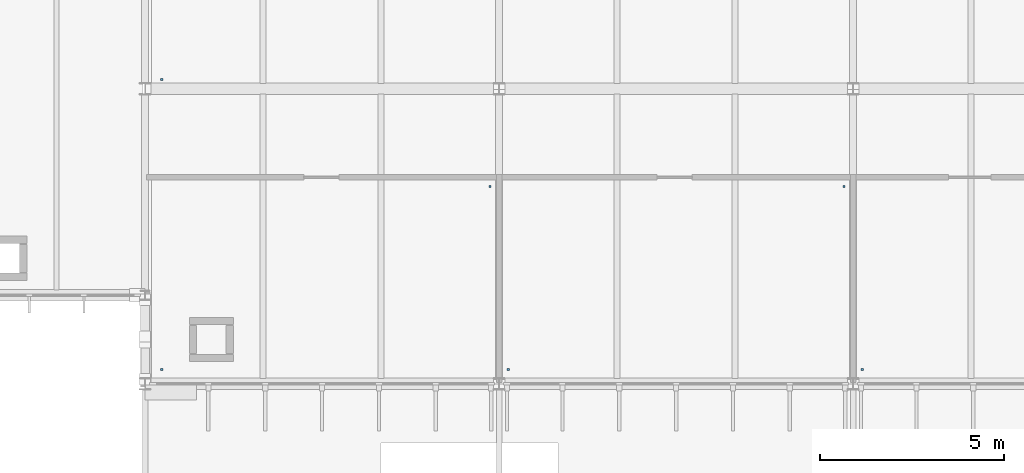
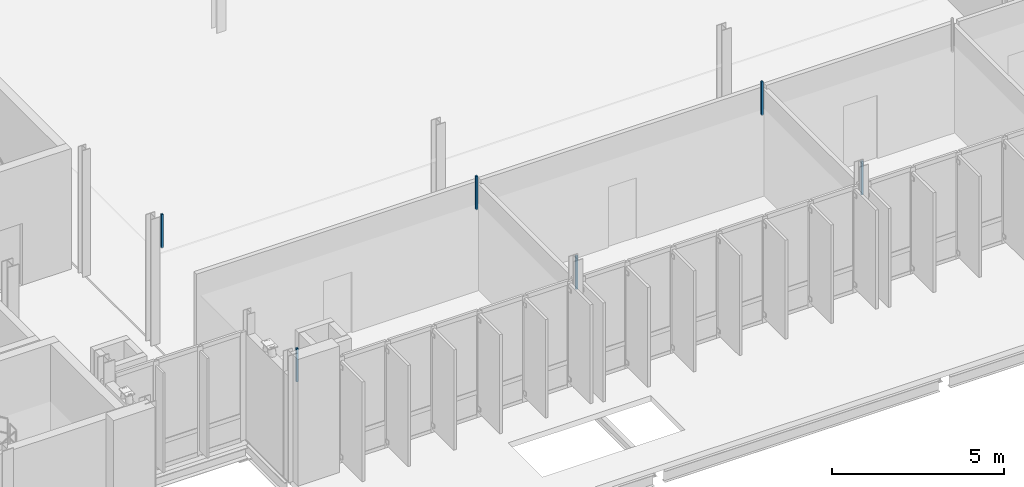
# One storey, part 72 of 107: 6 discrete accessories.
"""IFC4 building model written with IfcOpenShell, lengths in metres."""

from ifc_helpers import new_model, si_unit, direction, frame, origin, place, context, subcontext, project, spatial, polyline, outline, extrude, material, type_object, element, save


model = new_model("IFC4")

# Units and contexts
model_context = context("Model", 3, precision=1e-05, world=origin(), true_north=direction((0.0, 1.0)))
body_context = subcontext(model_context, "Body", "Model", "MODEL_VIEW")
ifc_project = project(units=[si_unit("LENGTHUNIT", "METRE"), si_unit("AREAUNIT", "SQUARE_METRE"), si_unit("VOLUMEUNIT", "CUBIC_METRE"), si_unit("PLANEANGLEUNIT", "RADIAN"), si_unit("MASSUNIT", "GRAM", prefix="KILO")], contexts=[model_context])

# Site, building, storey
site_placement = place(None, origin())
site = spatial("IfcSite", under=ifc_project, at=site_placement, CompositionType="ELEMENT")
building_placement = place(site_placement, origin())
building = spatial("IfcBuilding", under=site, at=building_placement, Name="Dunescarp Central Library", CompositionType="ELEMENT")
storey_placement = place(building_placement, frame((0.0, 0.0, 5.10009765625)))
storey = spatial("IfcBuildingStorey", under=building, at=storey_placement, Name="L01", CompositionType="ELEMENT", Elevation=5.10009765625)

# Discrete accessories
ifc_material = material(Name="Stainless steel Grade 316L", Category="steel")
discrete_accessory_type = type_object("IfcDiscreteAccessoryType", Name="ARC-ACC-BRK", PredefinedType="BRACKET", material=ifc_material)
discrete_accessory_1_placement = place(storey_placement, frame((0.0, 0.0, 3.059814453125)))
element("IfcDiscreteAccessory", 1, at=discrete_accessory_1_placement, inside=storey, type_object=discrete_accessory_type, Name="L01 ceiling hanger CLG-L01-053-H1", PredefinedType="BRACKET", context=body_context, shape_type="SweptSolid", body=[
    extrude(outline(polyline([(38.820068359375, 5.159912109375), (38.8798828125, 5.159912109375), (38.8798828125, 5.219970703125), (38.820068359375, 5.219970703125), (38.820068359375, 5.159912109375)])), origin(), (0.0, 0.0, 1.0), 1.190185546875),
])
discrete_accessory_2_placement = place(storey_placement, frame((0.0, 0.0, 3.059814453125)))
element("IfcDiscreteAccessory", 2, at=discrete_accessory_2_placement, inside=storey, type_object=discrete_accessory_type, Name="L01 ceiling hanger CLG-L01-053-H2", PredefinedType="BRACKET", context=body_context, shape_type="SweptSolid", body=[
    extrude(outline(polyline([(47.719970703125, 10.1201171875), (47.780029296875, 10.1201171875), (47.780029296875, 10.179931640625), (47.719970703125, 10.179931640625), (47.719970703125, 10.1201171875)])), origin(), (0.0, 0.0, 1.0), 1.190185546875),
])
discrete_accessory_3_placement = place(storey_placement, frame((0.0, 0.0, 3.059814453125)))
element("IfcDiscreteAccessory", 3, at=discrete_accessory_3_placement, inside=storey, type_object=discrete_accessory_type, Name="L01 ceiling hanger CLG-L01-054-H1", PredefinedType="BRACKET", context=body_context, shape_type="SweptSolid", body=[
    extrude(outline(polyline([(48.219970703125, 5.159912109375), (48.280029296875, 5.159912109375), (48.280029296875, 5.219970703125), (48.219970703125, 5.219970703125), (48.219970703125, 5.159912109375)])), origin(), (0.0, 0.0, 1.0), 1.190185546875),
])
discrete_accessory_4_placement = place(storey_placement, frame((0.0, 0.0, 3.059814453125)))
element("IfcDiscreteAccessory", 4, at=discrete_accessory_4_placement, inside=storey, type_object=discrete_accessory_type, Name="L01 ceiling hanger CLG-L01-054-H2", PredefinedType="BRACKET", context=body_context, shape_type="SweptSolid", body=[
    extrude(outline(polyline([(57.320068359375, 10.1201171875), (57.3798828125, 10.1201171875), (57.3798828125, 10.179931640625), (57.320068359375, 10.179931640625), (57.320068359375, 10.1201171875)])), origin(), (0.0, 0.0, 1.0), 1.190185546875),
])
discrete_accessory_5_placement = place(storey_placement, frame((0.0, 0.0, 3.059814453125)))
element("IfcDiscreteAccessory", 5, at=discrete_accessory_5_placement, inside=storey, type_object=discrete_accessory_type, Name="L01 ceiling hanger CLG-L01-055-H1", PredefinedType="BRACKET", context=body_context, shape_type="SweptSolid", body=[
    extrude(outline(polyline([(57.820068359375, 5.159912109375), (57.8798828125, 5.159912109375), (57.8798828125, 5.219970703125), (57.820068359375, 5.219970703125), (57.820068359375, 5.159912109375)])), origin(), (0.0, 0.0, 1.0), 1.190185546875),
])
discrete_accessory_6_placement = place(storey_placement, frame((0.0, 0.0, 3.059814453125)))
element("IfcDiscreteAccessory", 6, at=discrete_accessory_6_placement, inside=storey, type_object=discrete_accessory_type, Name="L01 ceiling hanger CLG-L01-056-H1", PredefinedType="BRACKET", context=body_context, shape_type="SweptSolid", body=[
    extrude(outline(polyline([(38.820068359375, 13.02001953125), (38.8798828125, 13.02001953125), (38.8798828125, 13.080078125), (38.820068359375, 13.080078125), (38.820068359375, 13.02001953125)])), origin(), (0.0, 0.0, 1.0), 1.190185546875),
])

save(model, "model.ifc")
